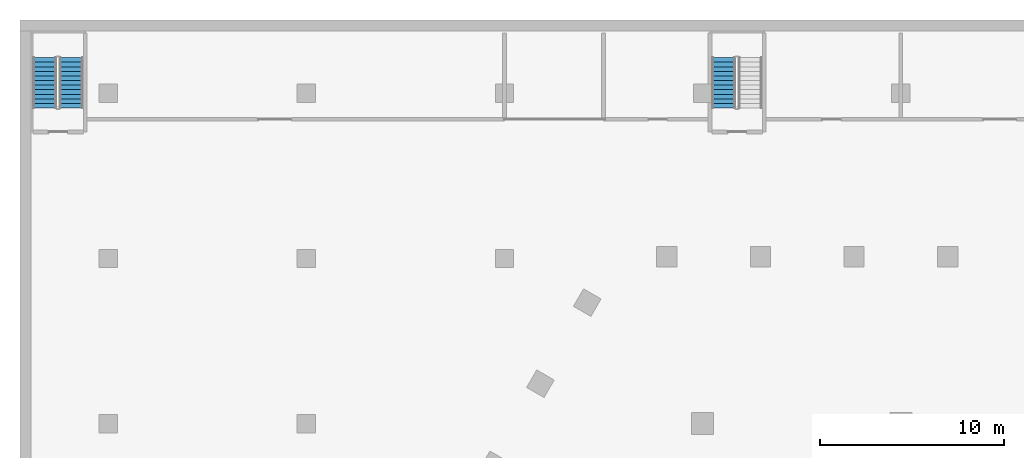
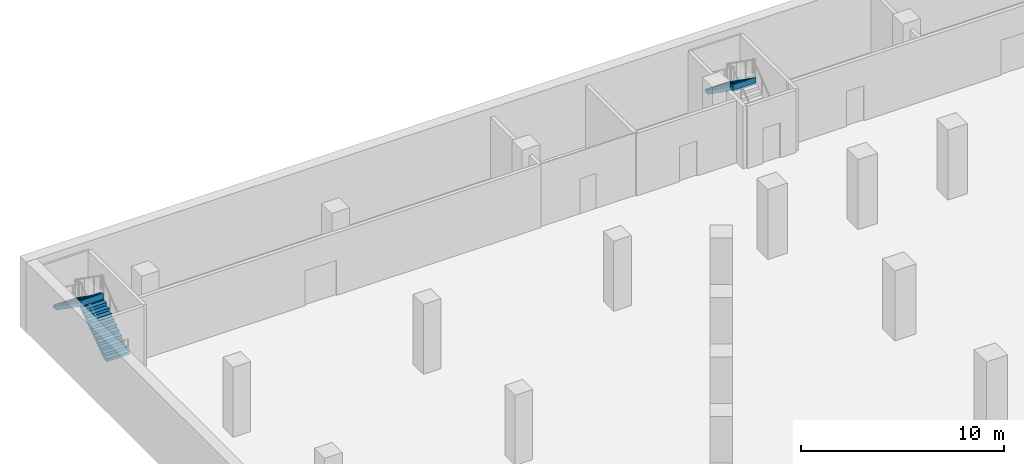
# One storey, part 13 of 20: 3 stair flights, 2 elements without a shape of their own.
"""IFC4 building model written with IfcOpenShell, lengths in metres."""

from ifc_helpers import new_model, si_unit, direction, frame, origin, place, context, subcontext, project, spatial, triangles, material, type_object, element, aggregate, save


model = new_model("IFC4")

# Units and contexts
model_context = context("Model", 3, precision=1e-05, world=origin(), true_north=direction((0.0, 1.0)))
body_context = subcontext(model_context, "Body", "Model", "MODEL_VIEW")
ifc_project = project(units=[si_unit("LENGTHUNIT", "METRE"), si_unit("AREAUNIT", "SQUARE_METRE"), si_unit("VOLUMEUNIT", "CUBIC_METRE"), si_unit("PLANEANGLEUNIT", "RADIAN"), si_unit("MASSUNIT", "GRAM", prefix="KILO")], contexts=[model_context])

# Site, building, storey
site_placement = place(None, origin())
site = spatial("IfcSite", under=ifc_project, at=site_placement, CompositionType="ELEMENT")
building_placement = place(site_placement, origin())
building = spatial("IfcBuilding", under=site, at=building_placement, Name="Beryl Residences", CompositionType="ELEMENT")
storey_placement = place(building_placement, frame((0.0, 0.0, -4.199951171875)))
storey = spatial("IfcBuildingStorey", under=building, at=storey_placement, Name="B1", CompositionType="ELEMENT", Elevation=-4.199951171875)

# Stair, stair flights
ifc_material_1 = material(Name="Concrete C40/50", Category="concrete")
stair_type = type_object("IfcStairType", Name="ST1 protected exit stair, half-turn, 1300 mm flights", PredefinedType="HALF_TURN_STAIR", material=ifc_material_1)
stair_1_placement = place(storey_placement, origin())
stair_1 = element("IfcStair", 1, at=stair_1_placement, inside=storey, type_object=stair_type, Name="B1 Basement exit stair 1", PredefinedType="HALF_TURN_STAIR")
ifc_material_2 = material(Name="Concrete C40/50", Category="concrete")
stair_flight_type = type_object("IfcStairFlightType", Name="SF1 stair flight 1300 mm", PredefinedType="STRAIGHT", material=ifc_material_2)
stair_flight_1_placement = place(storey_placement, frame((-45.199951171875, 35.199951171875, 0.0), z_axis=(0.0, 0.0, 1.0), x_axis=(0.0, 1.0, 0.0)))
stair_flight_1 = element("IfcStairFlight", 2, at=stair_flight_1_placement, type_object=stair_flight_type, Name="BS-1 flight 1", NumberOfRisers=12, NumberOfTreads=11, PredefinedType="STRAIGHT", RiserHeight=0.175, TreadLength=0.25, context=body_context, shape_type="Tessellation", body=[
    triangles([(0.0, -0.64990234375, 0.0), (0.0, -0.324951171875, 0.0), (0.0, 0.0, 0.0), (0.0, 0.324951171875, 0.0), (0.0, 0.64990234375, 0.0), (0.0, -0.64990234375, 0.175048828125), (0.0, -0.324951171875, 0.175048828125), (0.0, 0.0, 0.175048828125), (0.0, 0.324951171875, 0.175048828125), (0.0, 0.64990234375, 0.175048828125), (0.25, -0.64990234375, 0.175048828125), (0.25, -0.324951171875, 0.175048828125), (0.25, 0.0, 0.175048828125), (0.25, 0.324951171875, 0.175048828125), (0.25, 0.64990234375, 0.175048828125), (0.25, -0.64990234375, 0.35009765625), (0.25, -0.324951171875, 0.35009765625), (0.25, 0.0, 0.35009765625), (0.25, 0.324951171875, 0.35009765625), (0.25, 0.64990234375, 0.35009765625), (0.5, -0.64990234375, 0.35009765625), (0.5, -0.324951171875, 0.35009765625), (0.5, 0.0, 0.35009765625), (0.5, 0.324951171875, 0.35009765625), (0.5, 0.64990234375, 0.35009765625), (0.5, -0.64990234375, 0.52490234375), (0.5, -0.324951171875, 0.52490234375), (0.5, 0.0, 0.52490234375), (0.5, 0.324951171875, 0.52490234375), (0.5, 0.64990234375, 0.52490234375), (0.75, -0.64990234375, 0.52490234375), (0.75, -0.324951171875, 0.52490234375), (0.75, 0.0, 0.52490234375), (0.75, 0.324951171875, 0.52490234375), (0.75, 0.64990234375, 0.52490234375), (0.75, -0.64990234375, 0.699951171875), (0.75, -0.324951171875, 0.699951171875), (0.75, 0.0, 0.699951171875), (0.75, 0.324951171875, 0.699951171875), (0.75, 0.64990234375, 0.699951171875), (1.0, -0.64990234375, 0.699951171875), (1.0, -0.324951171875, 0.699951171875), (1.0, 0.0, 0.699951171875), (1.0, 0.324951171875, 0.699951171875), (1.0, 0.64990234375, 0.699951171875), (1.0, -0.64990234375, 0.875), (1.0, -0.324951171875, 0.875), (1.0, 0.0, 0.875), (1.0, 0.324951171875, 0.875), (1.0, 0.64990234375, 0.875), (1.25, -0.64990234375, 0.875), (1.25, -0.324951171875, 0.875), (1.25, 0.0, 0.875), (1.25, 0.324951171875, 0.875), (1.25, 0.64990234375, 0.875), (1.25, -0.64990234375, 1.050048828125), (1.25, -0.324951171875, 1.050048828125), (1.25, 0.0, 1.050048828125), (1.25, 0.324951171875, 1.050048828125), (1.25, 0.64990234375, 1.050048828125), (1.5, -0.64990234375, 1.050048828125), (1.5, -0.324951171875, 1.050048828125), (1.5, 0.0, 1.050048828125), (1.5, 0.324951171875, 1.050048828125), (1.5, 0.64990234375, 1.050048828125), (1.5, -0.64990234375, 1.22509765625), (1.5, -0.324951171875, 1.22509765625), (1.5, 0.0, 1.22509765625), (1.5, 0.324951171875, 1.22509765625), (1.5, 0.64990234375, 1.22509765625), (1.75, -0.64990234375, 1.22509765625), (1.75, -0.324951171875, 1.22509765625), (1.75, 0.0, 1.22509765625), (1.75, 0.324951171875, 1.22509765625), (1.75, 0.64990234375, 1.22509765625), (1.75, -0.64990234375, 1.39990234375), (1.75, -0.324951171875, 1.39990234375), (1.75, 0.0, 1.39990234375), (1.75, 0.324951171875, 1.39990234375), (1.75, 0.64990234375, 1.39990234375), (2.0, -0.64990234375, 1.39990234375), (2.0, -0.324951171875, 1.39990234375), (2.0, 0.0, 1.39990234375), (2.0, 0.324951171875, 1.39990234375), (2.0, 0.64990234375, 1.39990234375), (2.0, -0.64990234375, 1.574951171875), (2.0, -0.324951171875, 1.574951171875), (2.0, 0.0, 1.574951171875), (2.0, 0.324951171875, 1.574951171875), (2.0, 0.64990234375, 1.574951171875), (2.25, -0.64990234375, 1.574951171875), (2.25, -0.324951171875, 1.574951171875), (2.25, 0.0, 1.574951171875), (2.25, 0.324951171875, 1.574951171875), (2.25, 0.64990234375, 1.574951171875), (2.25, -0.64990234375, 1.75), (2.25, -0.324951171875, 1.75), (2.25, 0.0, 1.75), (2.25, 0.324951171875, 1.75), (2.25, 0.64990234375, 1.75), (2.5, -0.64990234375, 1.75), (2.5, -0.324951171875, 1.75), (2.5, 0.0, 1.75), (2.5, 0.324951171875, 1.75), (2.5, 0.64990234375, 1.75), (2.5, -0.64990234375, 1.925048828125), (2.5, -0.324951171875, 1.925048828125), (2.5, 0.0, 1.925048828125), (2.5, 0.324951171875, 1.925048828125), (2.5, 0.64990234375, 1.925048828125), (2.75, -0.64990234375, 1.925048828125), (2.75, -0.324951171875, 1.925048828125), (2.75, 0.0, 1.925048828125), (2.75, 0.324951171875, 1.925048828125), (2.75, 0.64990234375, 1.925048828125), (2.75, -0.64990234375, 2.10009765625), (2.75, -0.324951171875, 2.10009765625), (2.75, 0.0, 2.10009765625), (2.75, 0.324951171875, 2.10009765625), (2.75, 0.64990234375, 2.10009765625), (2.7509765625, -0.64990234375, 2.10009765625), (2.7509765625, -0.324951171875, 2.10009765625), (2.7509765625, 0.0, 2.10009765625), (2.7509765625, 0.324951171875, 2.10009765625), (2.7509765625, 0.64990234375, 2.10009765625), (2.7509765625, -0.64990234375, 1.741943359375), (2.7509765625, -0.324951171875, 1.741943359375), (2.7509765625, 0.0, 1.741943359375), (2.7509765625, 0.324951171875, 1.741943359375), (2.7509765625, 0.64990234375, 1.741943359375), (0.262451171875, -0.64990234375, 0.0), (0.262451171875, -0.324951171875, 0.0), (0.262451171875, 0.0, 0.0), (0.262451171875, 0.324951171875, 0.0), (0.262451171875, 0.64990234375, 0.0)], [[1, 6, 7], [1, 7, 2], [2, 7, 8], [2, 8, 3], [3, 8, 9], [3, 9, 4], [4, 9, 10], [4, 10, 5], [6, 11, 12], [6, 12, 7], [7, 12, 13], [7, 13, 8], [8, 13, 14], [8, 14, 9], [9, 14, 15], [9, 15, 10], [11, 16, 17], [11, 17, 12], [12, 17, 18], [12, 18, 13], [13, 18, 19], [13, 19, 14], [14, 19, 20], [14, 20, 15], [16, 21, 22], [16, 22, 17], [17, 22, 23], [17, 23, 18], [18, 23, 24], [18, 24, 19], [19, 24, 25], [19, 25, 20], [21, 26, 27], [21, 27, 22], [22, 27, 28], [22, 28, 23], [23, 28, 29], [23, 29, 24], [24, 29, 30], [24, 30, 25], [26, 31, 32], [26, 32, 27], [27, 32, 33], [27, 33, 28], [28, 33, 34], [28, 34, 29], [29, 34, 35], [29, 35, 30], [31, 36, 37], [31, 37, 32], [32, 37, 38], [32, 38, 33], [33, 38, 39], [33, 39, 34], [34, 39, 40], [34, 40, 35], [36, 41, 42], [36, 42, 37], [37, 42, 43], [37, 43, 38], [38, 43, 44], [38, 44, 39], [39, 44, 45], [39, 45, 40], [41, 46, 47], [41, 47, 42], [42, 47, 48], [42, 48, 43], [43, 48, 49], [43, 49, 44], [44, 49, 50], [44, 50, 45], [46, 51, 52], [46, 52, 47], [47, 52, 53], [47, 53, 48], [48, 53, 54], [48, 54, 49], [49, 54, 55], [49, 55, 50], [51, 56, 57], [51, 57, 52], [52, 57, 58], [52, 58, 53], [53, 58, 59], [53, 59, 54], [54, 59, 60], [54, 60, 55], [56, 61, 62], [56, 62, 57], [57, 62, 63], [57, 63, 58], [58, 63, 64], [58, 64, 59], [59, 64, 65], [59, 65, 60], [61, 66, 67], [61, 67, 62], [62, 67, 68], [62, 68, 63], [63, 68, 69], [63, 69, 64], [64, 69, 70], [64, 70, 65], [66, 71, 72], [66, 72, 67], [67, 72, 73], [67, 73, 68], [68, 73, 74], [68, 74, 69], [69, 74, 75], [69, 75, 70], [71, 76, 77], [71, 77, 72], [72, 77, 78], [72, 78, 73], [73, 78, 79], [73, 79, 74], [74, 79, 80], [74, 80, 75], [76, 81, 82], [76, 82, 77], [77, 82, 83], [77, 83, 78], [78, 83, 84], [78, 84, 79], [79, 84, 85], [79, 85, 80], [81, 86, 87], [81, 87, 82], [82, 87, 88], [82, 88, 83], [83, 88, 89], [83, 89, 84], [84, 89, 90], [84, 90, 85], [86, 91, 92], [86, 92, 87], [87, 92, 93], [87, 93, 88], [88, 93, 94], [88, 94, 89], [89, 94, 95], [89, 95, 90], [91, 96, 97], [91, 97, 92], [92, 97, 98], [92, 98, 93], [93, 98, 99], [93, 99, 94], [94, 99, 100], [94, 100, 95], [96, 101, 102], [96, 102, 97], [97, 102, 103], [97, 103, 98], [98, 103, 104], [98, 104, 99], [99, 104, 105], [99, 105, 100], [101, 106, 107], [101, 107, 102], [102, 107, 108], [102, 108, 103], [103, 108, 109], [103, 109, 104], [104, 109, 110], [104, 110, 105], [106, 111, 112], [106, 112, 107], [107, 112, 113], [107, 113, 108], [108, 113, 114], [108, 114, 109], [109, 114, 115], [109, 115, 110], [111, 116, 117], [111, 117, 112], [112, 117, 118], [112, 118, 113], [113, 118, 119], [113, 119, 114], [114, 119, 120], [114, 120, 115], [116, 121, 122], [116, 122, 117], [117, 122, 123], [117, 123, 118], [118, 123, 124], [118, 124, 119], [119, 124, 125], [119, 125, 120], [121, 126, 127], [121, 127, 122], [122, 127, 128], [122, 128, 123], [123, 128, 129], [123, 129, 124], [124, 129, 130], [124, 130, 125], [126, 131, 132], [126, 132, 127], [127, 132, 133], [127, 133, 128], [128, 133, 134], [128, 134, 129], [129, 134, 135], [129, 135, 130], [131, 1, 2], [131, 2, 132], [132, 2, 3], [132, 3, 133], [133, 3, 4], [133, 4, 134], [134, 4, 5], [134, 5, 135], [1, 131, 126], [5, 130, 135], [126, 121, 116], [130, 120, 125], [126, 116, 111], [130, 115, 120], [126, 111, 106], [130, 110, 115], [126, 106, 101], [130, 105, 110], [126, 101, 96], [130, 100, 105], [126, 96, 91], [130, 95, 100], [91, 86, 81], [95, 85, 90], [126, 91, 81], [130, 85, 95], [81, 76, 71], [85, 75, 80], [126, 81, 71], [130, 75, 85], [71, 66, 61], [75, 65, 70], [126, 71, 61], [130, 65, 75], [61, 56, 51], [65, 55, 60], [126, 61, 51], [130, 55, 65], [51, 46, 41], [55, 45, 50], [126, 51, 41], [130, 45, 55], [41, 36, 31], [45, 35, 40], [126, 41, 31], [130, 35, 45], [1, 126, 31], [5, 35, 130], [31, 26, 21], [35, 25, 30], [21, 16, 11], [25, 15, 20], [31, 21, 11], [35, 15, 25], [1, 31, 11], [5, 15, 35], [11, 6, 1], [15, 5, 10]], closed=True),
])
stair_flight_2_placement = place(storey_placement, frame((-46.64990234375, 37.949951171875, 2.099853515625), z_axis=(0.0, 0.0, 1.0), x_axis=(0.0, -1.0, 0.0)))
stair_flight_2 = element("IfcStairFlight", 3, at=stair_flight_2_placement, type_object=stair_flight_type, Name="BS-1 flight 2", NumberOfRisers=12, NumberOfTreads=11, PredefinedType="STRAIGHT", RiserHeight=0.175, TreadLength=0.25, context=body_context, shape_type="Tessellation", body=[
    triangles([(0.0, -0.64990234375, 0.0), (0.0, -0.324951171875, 0.0), (0.0, 0.0, 0.0), (0.0, 0.324951171875, 0.0), (0.0, 0.64990234375, 0.0), (0.0, -0.64990234375, 0.175048828125), (0.0, -0.324951171875, 0.175048828125), (0.0, 0.0, 0.175048828125), (0.0, 0.324951171875, 0.175048828125), (0.0, 0.64990234375, 0.175048828125), (0.25, -0.64990234375, 0.175048828125), (0.25, -0.324951171875, 0.175048828125), (0.25, 0.0, 0.175048828125), (0.25, 0.324951171875, 0.175048828125), (0.25, 0.64990234375, 0.175048828125), (0.25, -0.64990234375, 0.35009765625), (0.25, -0.324951171875, 0.35009765625), (0.25, 0.0, 0.35009765625), (0.25, 0.324951171875, 0.35009765625), (0.25, 0.64990234375, 0.35009765625), (0.5, -0.64990234375, 0.35009765625), (0.5, -0.324951171875, 0.35009765625), (0.5, 0.0, 0.35009765625), (0.5, 0.324951171875, 0.35009765625), (0.5, 0.64990234375, 0.35009765625), (0.5, -0.64990234375, 0.52490234375), (0.5, -0.324951171875, 0.52490234375), (0.5, 0.0, 0.52490234375), (0.5, 0.324951171875, 0.52490234375), (0.5, 0.64990234375, 0.52490234375), (0.75, -0.64990234375, 0.52490234375), (0.75, -0.324951171875, 0.52490234375), (0.75, 0.0, 0.52490234375), (0.75, 0.324951171875, 0.52490234375), (0.75, 0.64990234375, 0.52490234375), (0.75, -0.64990234375, 0.699951171875), (0.75, -0.324951171875, 0.699951171875), (0.75, 0.0, 0.699951171875), (0.75, 0.324951171875, 0.699951171875), (0.75, 0.64990234375, 0.699951171875), (1.0, -0.64990234375, 0.699951171875), (1.0, -0.324951171875, 0.699951171875), (1.0, 0.0, 0.699951171875), (1.0, 0.324951171875, 0.699951171875), (1.0, 0.64990234375, 0.699951171875), (1.0, -0.64990234375, 0.875), (1.0, -0.324951171875, 0.875), (1.0, 0.0, 0.875), (1.0, 0.324951171875, 0.875), (1.0, 0.64990234375, 0.875), (1.25, -0.64990234375, 0.875), (1.25, -0.324951171875, 0.875), (1.25, 0.0, 0.875), (1.25, 0.324951171875, 0.875), (1.25, 0.64990234375, 0.875), (1.25, -0.64990234375, 1.050048828125), (1.25, -0.324951171875, 1.050048828125), (1.25, 0.0, 1.050048828125), (1.25, 0.324951171875, 1.050048828125), (1.25, 0.64990234375, 1.050048828125), (1.5, -0.64990234375, 1.050048828125), (1.5, -0.324951171875, 1.050048828125), (1.5, 0.0, 1.050048828125), (1.5, 0.324951171875, 1.050048828125), (1.5, 0.64990234375, 1.050048828125), (1.5, -0.64990234375, 1.22509765625), (1.5, -0.324951171875, 1.22509765625), (1.5, 0.0, 1.22509765625), (1.5, 0.324951171875, 1.22509765625), (1.5, 0.64990234375, 1.22509765625), (1.75, -0.64990234375, 1.22509765625), (1.75, -0.324951171875, 1.22509765625), (1.75, 0.0, 1.22509765625), (1.75, 0.324951171875, 1.22509765625), (1.75, 0.64990234375, 1.22509765625), (1.75, -0.64990234375, 1.39990234375), (1.75, -0.324951171875, 1.39990234375), (1.75, 0.0, 1.39990234375), (1.75, 0.324951171875, 1.39990234375), (1.75, 0.64990234375, 1.39990234375), (2.0, -0.64990234375, 1.39990234375), (2.0, -0.324951171875, 1.39990234375), (2.0, 0.0, 1.39990234375), (2.0, 0.324951171875, 1.39990234375), (2.0, 0.64990234375, 1.39990234375), (2.0, -0.64990234375, 1.574951171875), (2.0, -0.324951171875, 1.574951171875), (2.0, 0.0, 1.574951171875), (2.0, 0.324951171875, 1.574951171875), (2.0, 0.64990234375, 1.574951171875), (2.25, -0.64990234375, 1.574951171875), (2.25, -0.324951171875, 1.574951171875), (2.25, 0.0, 1.574951171875), (2.25, 0.324951171875, 1.574951171875), (2.25, 0.64990234375, 1.574951171875), (2.25, -0.64990234375, 1.75), (2.25, -0.324951171875, 1.75), (2.25, 0.0, 1.75), (2.25, 0.324951171875, 1.75), (2.25, 0.64990234375, 1.75), (2.5, -0.64990234375, 1.75), (2.5, -0.324951171875, 1.75), (2.5, 0.0, 1.75), (2.5, 0.324951171875, 1.75), (2.5, 0.64990234375, 1.75), (2.5, -0.64990234375, 1.925048828125), (2.5, -0.324951171875, 1.925048828125), (2.5, 0.0, 1.925048828125), (2.5, 0.324951171875, 1.925048828125), (2.5, 0.64990234375, 1.925048828125), (2.75, -0.64990234375, 1.925048828125), (2.75, -0.324951171875, 1.925048828125), (2.75, 0.0, 1.925048828125), (2.75, 0.324951171875, 1.925048828125), (2.75, 0.64990234375, 1.925048828125), (2.75, -0.64990234375, 2.10009765625), (2.75, -0.324951171875, 2.10009765625), (2.75, 0.0, 2.10009765625), (2.75, 0.324951171875, 2.10009765625), (2.75, 0.64990234375, 2.10009765625), (2.7509765625, -0.64990234375, 2.10009765625), (2.7509765625, -0.324951171875, 2.10009765625), (2.7509765625, 0.0, 2.10009765625), (2.7509765625, 0.324951171875, 2.10009765625), (2.7509765625, 0.64990234375, 2.10009765625), (2.7509765625, -0.64990234375, 1.741943359375), (2.7509765625, -0.324951171875, 1.741943359375), (2.7509765625, 0.0, 1.741943359375), (2.7509765625, 0.324951171875, 1.741943359375), (2.7509765625, 0.64990234375, 1.741943359375), (0.262451171875, -0.64990234375, 0.0), (0.262451171875, -0.324951171875, 0.0), (0.262451171875, 0.0, 0.0), (0.262451171875, 0.324951171875, 0.0), (0.262451171875, 0.64990234375, 0.0)], [[1, 6, 7], [1, 7, 2], [2, 7, 8], [2, 8, 3], [3, 8, 9], [3, 9, 4], [4, 9, 10], [4, 10, 5], [6, 11, 12], [6, 12, 7], [7, 12, 13], [7, 13, 8], [8, 13, 14], [8, 14, 9], [9, 14, 15], [9, 15, 10], [11, 16, 17], [11, 17, 12], [12, 17, 18], [12, 18, 13], [13, 18, 19], [13, 19, 14], [14, 19, 20], [14, 20, 15], [16, 21, 22], [16, 22, 17], [17, 22, 23], [17, 23, 18], [18, 23, 24], [18, 24, 19], [19, 24, 25], [19, 25, 20], [21, 26, 27], [21, 27, 22], [22, 27, 28], [22, 28, 23], [23, 28, 29], [23, 29, 24], [24, 29, 30], [24, 30, 25], [26, 31, 32], [26, 32, 27], [27, 32, 33], [27, 33, 28], [28, 33, 34], [28, 34, 29], [29, 34, 35], [29, 35, 30], [31, 36, 37], [31, 37, 32], [32, 37, 38], [32, 38, 33], [33, 38, 39], [33, 39, 34], [34, 39, 40], [34, 40, 35], [36, 41, 42], [36, 42, 37], [37, 42, 43], [37, 43, 38], [38, 43, 44], [38, 44, 39], [39, 44, 45], [39, 45, 40], [41, 46, 47], [41, 47, 42], [42, 47, 48], [42, 48, 43], [43, 48, 49], [43, 49, 44], [44, 49, 50], [44, 50, 45], [46, 51, 52], [46, 52, 47], [47, 52, 53], [47, 53, 48], [48, 53, 54], [48, 54, 49], [49, 54, 55], [49, 55, 50], [51, 56, 57], [51, 57, 52], [52, 57, 58], [52, 58, 53], [53, 58, 59], [53, 59, 54], [54, 59, 60], [54, 60, 55], [56, 61, 62], [56, 62, 57], [57, 62, 63], [57, 63, 58], [58, 63, 64], [58, 64, 59], [59, 64, 65], [59, 65, 60], [61, 66, 67], [61, 67, 62], [62, 67, 68], [62, 68, 63], [63, 68, 69], [63, 69, 64], [64, 69, 70], [64, 70, 65], [66, 71, 72], [66, 72, 67], [67, 72, 73], [67, 73, 68], [68, 73, 74], [68, 74, 69], [69, 74, 75], [69, 75, 70], [71, 76, 77], [71, 77, 72], [72, 77, 78], [72, 78, 73], [73, 78, 79], [73, 79, 74], [74, 79, 80], [74, 80, 75], [76, 81, 82], [76, 82, 77], [77, 82, 83], [77, 83, 78], [78, 83, 84], [78, 84, 79], [79, 84, 85], [79, 85, 80], [81, 86, 87], [81, 87, 82], [82, 87, 88], [82, 88, 83], [83, 88, 89], [83, 89, 84], [84, 89, 90], [84, 90, 85], [86, 91, 92], [86, 92, 87], [87, 92, 93], [87, 93, 88], [88, 93, 94], [88, 94, 89], [89, 94, 95], [89, 95, 90], [91, 96, 97], [91, 97, 92], [92, 97, 98], [92, 98, 93], [93, 98, 99], [93, 99, 94], [94, 99, 100], [94, 100, 95], [96, 101, 102], [96, 102, 97], [97, 102, 103], [97, 103, 98], [98, 103, 104], [98, 104, 99], [99, 104, 105], [99, 105, 100], [101, 106, 107], [101, 107, 102], [102, 107, 108], [102, 108, 103], [103, 108, 109], [103, 109, 104], [104, 109, 110], [104, 110, 105], [106, 111, 112], [106, 112, 107], [107, 112, 113], [107, 113, 108], [108, 113, 114], [108, 114, 109], [109, 114, 115], [109, 115, 110], [111, 116, 117], [111, 117, 112], [112, 117, 118], [112, 118, 113], [113, 118, 119], [113, 119, 114], [114, 119, 120], [114, 120, 115], [116, 121, 122], [116, 122, 117], [117, 122, 123], [117, 123, 118], [118, 123, 124], [118, 124, 119], [119, 124, 125], [119, 125, 120], [121, 126, 127], [121, 127, 122], [122, 127, 128], [122, 128, 123], [123, 128, 129], [123, 129, 124], [124, 129, 130], [124, 130, 125], [126, 131, 132], [126, 132, 127], [127, 132, 133], [127, 133, 128], [128, 133, 134], [128, 134, 129], [129, 134, 135], [129, 135, 130], [131, 1, 2], [131, 2, 132], [132, 2, 3], [132, 3, 133], [133, 3, 4], [133, 4, 134], [134, 4, 5], [134, 5, 135], [1, 131, 126], [5, 130, 135], [126, 121, 116], [130, 120, 125], [126, 116, 111], [130, 115, 120], [126, 111, 106], [130, 110, 115], [126, 106, 101], [130, 105, 110], [126, 101, 96], [130, 100, 105], [126, 96, 91], [130, 95, 100], [91, 86, 81], [95, 85, 90], [126, 91, 81], [130, 85, 95], [81, 76, 71], [85, 75, 80], [126, 81, 71], [130, 75, 85], [71, 66, 61], [75, 65, 70], [126, 71, 61], [130, 65, 75], [61, 56, 51], [65, 55, 60], [126, 61, 51], [130, 55, 65], [51, 46, 41], [55, 45, 50], [126, 51, 41], [130, 45, 55], [41, 36, 31], [45, 35, 40], [126, 41, 31], [130, 35, 45], [1, 126, 31], [5, 35, 130], [31, 26, 21], [35, 25, 30], [21, 16, 11], [25, 15, 20], [31, 21, 11], [35, 15, 25], [1, 31, 11], [5, 15, 35], [11, 6, 1], [15, 5, 10]], closed=True),
])
aggregate(stair_1, [stair_flight_1, stair_flight_2])

# Stair, stair flight
stair_2_placement = place(storey_placement, origin())
stair_2 = element("IfcStair", 4, at=stair_2_placement, inside=storey, type_object=stair_type, Name="B1 Basement exit stair 2", PredefinedType="HALF_TURN_STAIR")
stair_flight_3_placement = place(storey_placement, frame((-9.64990234375, 37.949951171875, 2.099853515625), z_axis=(0.0, 0.0, 1.0), x_axis=(0.0, -1.0, 0.0)))
stair_flight_3 = element("IfcStairFlight", 5, at=stair_flight_3_placement, type_object=stair_flight_type, Name="BS-2 flight 2", NumberOfRisers=12, NumberOfTreads=11, PredefinedType="STRAIGHT", RiserHeight=0.175, TreadLength=0.25, context=body_context, shape_type="Tessellation", body=[
    triangles([(0.0, -0.64990234375, 0.0), (0.0, -0.324951171875, 0.0), (0.0, 0.0, 0.0), (0.0, 0.324951171875, 0.0), (0.0, 0.64990234375, 0.0), (0.0, -0.64990234375, 0.175048828125), (0.0, -0.324951171875, 0.175048828125), (0.0, 0.0, 0.175048828125), (0.0, 0.324951171875, 0.175048828125), (0.0, 0.64990234375, 0.175048828125), (0.25, -0.64990234375, 0.175048828125), (0.25, -0.324951171875, 0.175048828125), (0.25, 0.0, 0.175048828125), (0.25, 0.324951171875, 0.175048828125), (0.25, 0.64990234375, 0.175048828125), (0.25, -0.64990234375, 0.35009765625), (0.25, -0.324951171875, 0.35009765625), (0.25, 0.0, 0.35009765625), (0.25, 0.324951171875, 0.35009765625), (0.25, 0.64990234375, 0.35009765625), (0.5, -0.64990234375, 0.35009765625), (0.5, -0.324951171875, 0.35009765625), (0.5, 0.0, 0.35009765625), (0.5, 0.324951171875, 0.35009765625), (0.5, 0.64990234375, 0.35009765625), (0.5, -0.64990234375, 0.52490234375), (0.5, -0.324951171875, 0.52490234375), (0.5, 0.0, 0.52490234375), (0.5, 0.324951171875, 0.52490234375), (0.5, 0.64990234375, 0.52490234375), (0.75, -0.64990234375, 0.52490234375), (0.75, -0.324951171875, 0.52490234375), (0.75, 0.0, 0.52490234375), (0.75, 0.324951171875, 0.52490234375), (0.75, 0.64990234375, 0.52490234375), (0.75, -0.64990234375, 0.699951171875), (0.75, -0.324951171875, 0.699951171875), (0.75, 0.0, 0.699951171875), (0.75, 0.324951171875, 0.699951171875), (0.75, 0.64990234375, 0.699951171875), (1.0, -0.64990234375, 0.699951171875), (1.0, -0.324951171875, 0.699951171875), (1.0, 0.0, 0.699951171875), (1.0, 0.324951171875, 0.699951171875), (1.0, 0.64990234375, 0.699951171875), (1.0, -0.64990234375, 0.875), (1.0, -0.324951171875, 0.875), (1.0, 0.0, 0.875), (1.0, 0.324951171875, 0.875), (1.0, 0.64990234375, 0.875), (1.25, -0.64990234375, 0.875), (1.25, -0.324951171875, 0.875), (1.25, 0.0, 0.875), (1.25, 0.324951171875, 0.875), (1.25, 0.64990234375, 0.875), (1.25, -0.64990234375, 1.050048828125), (1.25, -0.324951171875, 1.050048828125), (1.25, 0.0, 1.050048828125), (1.25, 0.324951171875, 1.050048828125), (1.25, 0.64990234375, 1.050048828125), (1.5, -0.64990234375, 1.050048828125), (1.5, -0.324951171875, 1.050048828125), (1.5, 0.0, 1.050048828125), (1.5, 0.324951171875, 1.050048828125), (1.5, 0.64990234375, 1.050048828125), (1.5, -0.64990234375, 1.22509765625), (1.5, -0.324951171875, 1.22509765625), (1.5, 0.0, 1.22509765625), (1.5, 0.324951171875, 1.22509765625), (1.5, 0.64990234375, 1.22509765625), (1.75, -0.64990234375, 1.22509765625), (1.75, -0.324951171875, 1.22509765625), (1.75, 0.0, 1.22509765625), (1.75, 0.324951171875, 1.22509765625), (1.75, 0.64990234375, 1.22509765625), (1.75, -0.64990234375, 1.39990234375), (1.75, -0.324951171875, 1.39990234375), (1.75, 0.0, 1.39990234375), (1.75, 0.324951171875, 1.39990234375), (1.75, 0.64990234375, 1.39990234375), (2.0, -0.64990234375, 1.39990234375), (2.0, -0.324951171875, 1.39990234375), (2.0, 0.0, 1.39990234375), (2.0, 0.324951171875, 1.39990234375), (2.0, 0.64990234375, 1.39990234375), (2.0, -0.64990234375, 1.574951171875), (2.0, -0.324951171875, 1.574951171875), (2.0, 0.0, 1.574951171875), (2.0, 0.324951171875, 1.574951171875), (2.0, 0.64990234375, 1.574951171875), (2.25, -0.64990234375, 1.574951171875), (2.25, -0.324951171875, 1.574951171875), (2.25, 0.0, 1.574951171875), (2.25, 0.324951171875, 1.574951171875), (2.25, 0.64990234375, 1.574951171875), (2.25, -0.64990234375, 1.75), (2.25, -0.324951171875, 1.75), (2.25, 0.0, 1.75), (2.25, 0.324951171875, 1.75), (2.25, 0.64990234375, 1.75), (2.5, -0.64990234375, 1.75), (2.5, -0.324951171875, 1.75), (2.5, 0.0, 1.75), (2.5, 0.324951171875, 1.75), (2.5, 0.64990234375, 1.75), (2.5, -0.64990234375, 1.925048828125), (2.5, -0.324951171875, 1.925048828125), (2.5, 0.0, 1.925048828125), (2.5, 0.324951171875, 1.925048828125), (2.5, 0.64990234375, 1.925048828125), (2.75, -0.64990234375, 1.925048828125), (2.75, -0.324951171875, 1.925048828125), (2.75, 0.0, 1.925048828125), (2.75, 0.324951171875, 1.925048828125), (2.75, 0.64990234375, 1.925048828125), (2.75, -0.64990234375, 2.10009765625), (2.75, -0.324951171875, 2.10009765625), (2.75, 0.0, 2.10009765625), (2.75, 0.324951171875, 2.10009765625), (2.75, 0.64990234375, 2.10009765625), (2.7509765625, -0.64990234375, 2.10009765625), (2.7509765625, -0.324951171875, 2.10009765625), (2.7509765625, 0.0, 2.10009765625), (2.7509765625, 0.324951171875, 2.10009765625), (2.7509765625, 0.64990234375, 2.10009765625), (2.7509765625, -0.64990234375, 1.741943359375), (2.7509765625, -0.324951171875, 1.741943359375), (2.7509765625, 0.0, 1.741943359375), (2.7509765625, 0.324951171875, 1.741943359375), (2.7509765625, 0.64990234375, 1.741943359375), (0.262451171875, -0.64990234375, 0.0), (0.262451171875, -0.324951171875, 0.0), (0.262451171875, 0.0, 0.0), (0.262451171875, 0.324951171875, 0.0), (0.262451171875, 0.64990234375, 0.0)], [[1, 6, 7], [1, 7, 2], [2, 7, 8], [2, 8, 3], [3, 8, 9], [3, 9, 4], [4, 9, 10], [4, 10, 5], [6, 11, 12], [6, 12, 7], [7, 12, 13], [7, 13, 8], [8, 13, 14], [8, 14, 9], [9, 14, 15], [9, 15, 10], [11, 16, 17], [11, 17, 12], [12, 17, 18], [12, 18, 13], [13, 18, 19], [13, 19, 14], [14, 19, 20], [14, 20, 15], [16, 21, 22], [16, 22, 17], [17, 22, 23], [17, 23, 18], [18, 23, 24], [18, 24, 19], [19, 24, 25], [19, 25, 20], [21, 26, 27], [21, 27, 22], [22, 27, 28], [22, 28, 23], [23, 28, 29], [23, 29, 24], [24, 29, 30], [24, 30, 25], [26, 31, 32], [26, 32, 27], [27, 32, 33], [27, 33, 28], [28, 33, 34], [28, 34, 29], [29, 34, 35], [29, 35, 30], [31, 36, 37], [31, 37, 32], [32, 37, 38], [32, 38, 33], [33, 38, 39], [33, 39, 34], [34, 39, 40], [34, 40, 35], [36, 41, 42], [36, 42, 37], [37, 42, 43], [37, 43, 38], [38, 43, 44], [38, 44, 39], [39, 44, 45], [39, 45, 40], [41, 46, 47], [41, 47, 42], [42, 47, 48], [42, 48, 43], [43, 48, 49], [43, 49, 44], [44, 49, 50], [44, 50, 45], [46, 51, 52], [46, 52, 47], [47, 52, 53], [47, 53, 48], [48, 53, 54], [48, 54, 49], [49, 54, 55], [49, 55, 50], [51, 56, 57], [51, 57, 52], [52, 57, 58], [52, 58, 53], [53, 58, 59], [53, 59, 54], [54, 59, 60], [54, 60, 55], [56, 61, 62], [56, 62, 57], [57, 62, 63], [57, 63, 58], [58, 63, 64], [58, 64, 59], [59, 64, 65], [59, 65, 60], [61, 66, 67], [61, 67, 62], [62, 67, 68], [62, 68, 63], [63, 68, 69], [63, 69, 64], [64, 69, 70], [64, 70, 65], [66, 71, 72], [66, 72, 67], [67, 72, 73], [67, 73, 68], [68, 73, 74], [68, 74, 69], [69, 74, 75], [69, 75, 70], [71, 76, 77], [71, 77, 72], [72, 77, 78], [72, 78, 73], [73, 78, 79], [73, 79, 74], [74, 79, 80], [74, 80, 75], [76, 81, 82], [76, 82, 77], [77, 82, 83], [77, 83, 78], [78, 83, 84], [78, 84, 79], [79, 84, 85], [79, 85, 80], [81, 86, 87], [81, 87, 82], [82, 87, 88], [82, 88, 83], [83, 88, 89], [83, 89, 84], [84, 89, 90], [84, 90, 85], [86, 91, 92], [86, 92, 87], [87, 92, 93], [87, 93, 88], [88, 93, 94], [88, 94, 89], [89, 94, 95], [89, 95, 90], [91, 96, 97], [91, 97, 92], [92, 97, 98], [92, 98, 93], [93, 98, 99], [93, 99, 94], [94, 99, 100], [94, 100, 95], [96, 101, 102], [96, 102, 97], [97, 102, 103], [97, 103, 98], [98, 103, 104], [98, 104, 99], [99, 104, 105], [99, 105, 100], [101, 106, 107], [101, 107, 102], [102, 107, 108], [102, 108, 103], [103, 108, 109], [103, 109, 104], [104, 109, 110], [104, 110, 105], [106, 111, 112], [106, 112, 107], [107, 112, 113], [107, 113, 108], [108, 113, 114], [108, 114, 109], [109, 114, 115], [109, 115, 110], [111, 116, 117], [111, 117, 112], [112, 117, 118], [112, 118, 113], [113, 118, 119], [113, 119, 114], [114, 119, 120], [114, 120, 115], [116, 121, 122], [116, 122, 117], [117, 122, 123], [117, 123, 118], [118, 123, 124], [118, 124, 119], [119, 124, 125], [119, 125, 120], [121, 126, 127], [121, 127, 122], [122, 127, 128], [122, 128, 123], [123, 128, 129], [123, 129, 124], [124, 129, 130], [124, 130, 125], [126, 131, 132], [126, 132, 127], [127, 132, 133], [127, 133, 128], [128, 133, 134], [128, 134, 129], [129, 134, 135], [129, 135, 130], [131, 1, 2], [131, 2, 132], [132, 2, 3], [132, 3, 133], [133, 3, 4], [133, 4, 134], [134, 4, 5], [134, 5, 135], [1, 131, 126], [5, 130, 135], [126, 121, 116], [130, 120, 125], [126, 116, 111], [130, 115, 120], [126, 111, 106], [130, 110, 115], [126, 106, 101], [130, 105, 110], [126, 101, 96], [130, 100, 105], [126, 96, 91], [130, 95, 100], [91, 86, 81], [95, 85, 90], [126, 91, 81], [130, 85, 95], [81, 76, 71], [85, 75, 80], [126, 81, 71], [130, 75, 85], [71, 66, 61], [75, 65, 70], [126, 71, 61], [130, 65, 75], [61, 56, 51], [65, 55, 60], [126, 61, 51], [130, 55, 65], [51, 46, 41], [55, 45, 50], [126, 51, 41], [130, 45, 55], [41, 36, 31], [45, 35, 40], [126, 41, 31], [130, 35, 45], [1, 126, 31], [5, 35, 130], [31, 26, 21], [35, 25, 30], [21, 16, 11], [25, 15, 20], [31, 21, 11], [35, 15, 25], [1, 31, 11], [5, 15, 35], [11, 6, 1], [15, 5, 10]], closed=True),
])
aggregate(stair_2, [stair_flight_3])

save(model, "model.ifc")
